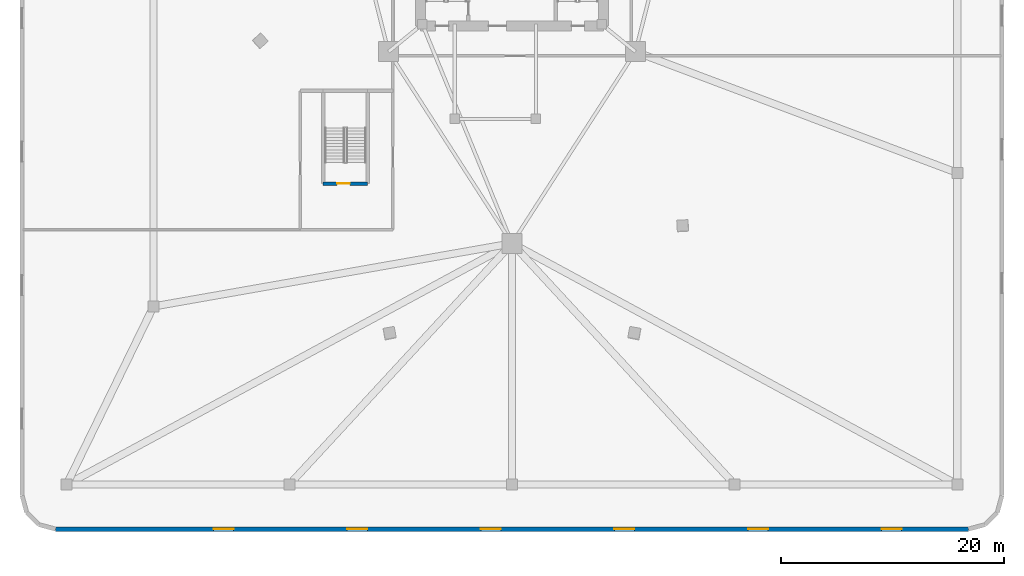
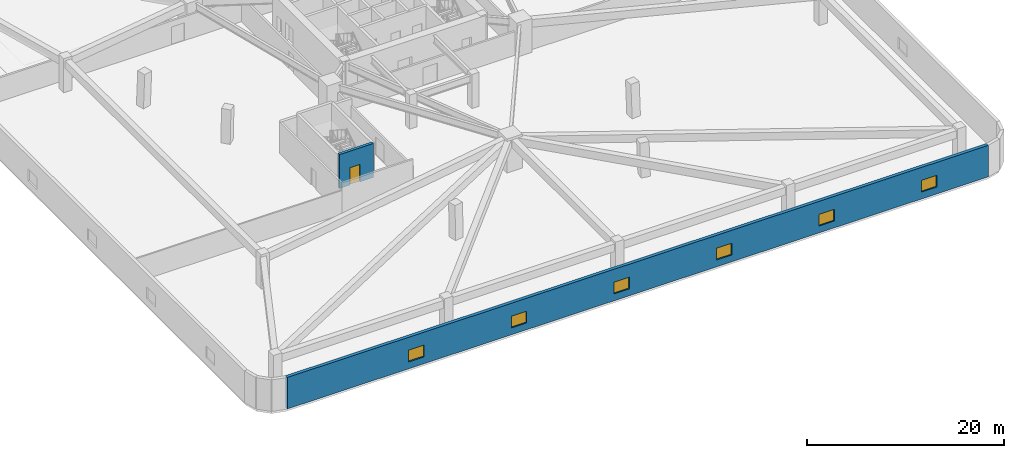
# One storey, part 3 of 10: 6 windows, 2 walls, 1 door, 7 openings.
"""IFC4 building model written with IfcOpenShell, lengths in metres."""

from ifc_helpers import new_model, si_unit, direction, frame, frame_2d, origin, place, context, subcontext, project, spatial, rectangle, extrude, material, layer, layer_set, type_object, element, fill, save


model = new_model("IFC4")

# Units and contexts
model_context = context("Model", 3, precision=1e-05, world=origin(), true_north=direction((0.0, 1.0)))
body_context = subcontext(model_context, "Body", "Model", "MODEL_VIEW")
ifc_project = project(units=[si_unit("LENGTHUNIT", "METRE"), si_unit("AREAUNIT", "SQUARE_METRE"), si_unit("VOLUMEUNIT", "CUBIC_METRE"), si_unit("PLANEANGLEUNIT", "RADIAN"), si_unit("MASSUNIT", "GRAM", prefix="KILO")], contexts=[model_context])

# Site, building, storey
site_placement = place(None, origin())
site = spatial("IfcSite", under=ifc_project, at=site_placement, CompositionType="ELEMENT")
building_placement = place(site_placement, origin())
building = spatial("IfcBuilding", under=site, at=building_placement, Name="Talyreon Biosciences Tower", CompositionType="ELEMENT")
storey_placement = place(building_placement, frame((0.0, 0.0, 10.199951171875)))
storey = spatial("IfcBuildingStorey", under=building, at=storey_placement, Name="L02", CompositionType="ELEMENT", Elevation=10.199951171875)

# Wall, opening, door
ifc_material_1 = material(Name="Concrete C50/60", Category="concrete")
ifc_layer_1 = layer(ifc_material_1, 0.320068359375)
ifc_layer_set_1 = layer_set([ifc_layer_1], Name="Concrete C50/60")
wall_type_1 = type_object("IfcWallType", Name="CoreShearWall_320", PredefinedType="SHEAR", material=ifc_layer_set_1)
wall_1_placement = place(storey_placement, frame((49.0400390625, 47.0400390625, 0.0), z_axis=(0.0, 0.0, 1.0), x_axis=(1.0, 0.0, 0.0)))
wall_1 = element("IfcWall", 1, at=wall_1_placement, inside=storey, type_object=wall_type_1, Name="L02 Stair ST-3 Structural Wall S", PredefinedType="SHEAR", context=body_context, shape_type="SweptSolid", body=[
    extrude(rectangle(XDim=4.0, YDim=0.320068359375, at=frame_2d((2.0, 0.0))), origin(), (0.0, 0.0, 1.0), 4.199951171875),
])
opening_1_placement = place(wall_1_placement, frame((1.25, 0.0, 0.0)))
opening_1 = element("IfcOpeningElement", 2, at=opening_1_placement, cuts=wall_1, Name="Opening DR-L02-ST3", PredefinedType="OPENING", context=body_context, shape_type="SweptSolid", body=[
    extrude(rectangle(XDim=1.14990234375, YDim=2.14990234375, at=frame_2d((0.574951171875, 1.074951171875))), frame((0.0, 0.169921875, 0.0), z_axis=(0.0, -1.0, 0.0), x_axis=(1.0, 0.0, 0.0)), (0.0, 0.0, 1.0), 0.340087890625),
])
ifc_material_2 = material(Name="Painted steel fire door", Category="steel")
door_type = type_object("IfcDoorType", Name="StairShaftFireDoor_1150x2150", OperationType="NOTDEFINED", PredefinedType="DOOR", material=ifc_material_2)
door_placement = place(opening_1_placement, origin())
door = element("IfcDoor", 3, at=door_placement, inside=storey, type_object=door_type, Name="L02 Core Door DR-L02-ST3", OperationType="SINGLE_SWING_LEFT", OverallHeight=2.14990234375, OverallWidth=1.14990234375, PredefinedType="DOOR", context=body_context, shape_type="SweptSolid", body=[
    extrude(rectangle(XDim=1.14990234375, YDim=2.14990234375, at=frame_2d((0.574951171875, 1.074951171875))), frame((0.0, 0.02490234375, 0.0), z_axis=(0.0, -1.0, 0.0), x_axis=(1.0, 0.0, 0.0)), (0.0, 0.0, 1.0), 0.050048828125),
])
fill(opening_1, door)

# Wall, openings, windows
ifc_material_3 = material(Name="Precast concrete C45/55", Category="concrete")
ifc_layer_2 = layer(ifc_material_3, 0.3798828125)
ifc_layer_set_2 = layer_set([ifc_layer_2], Name="Precast concrete C45/55")
wall_type_2 = type_object("IfcWallType", Name="PrecastConcretePodiumWall_380", PredefinedType="STANDARD", material=ifc_layer_set_2)
wall_2_placement = place(storey_placement, frame((107.0, 16.0, 0.0), z_axis=(0.0, 0.0, 1.0), x_axis=(-1.0, 0.0, 0.0)))
wall_2 = element("IfcWall", 4, at=wall_2_placement, inside=storey, type_object=wall_type_2, Name="L02 Podium Concrete Frame Wall 01", PredefinedType="STANDARD", context=body_context, shape_type="SweptSolid", body=[
    extrude(rectangle(XDim=82.0, YDim=0.3798828125, at=frame_2d((41.0, 0.0))), origin(), (0.0, 0.0, 1.0), 3.900146484375),
])
opening_2_placement = place(wall_2_placement, frame((6.0, 0.0, 0.85009765625)))
opening_2 = element("IfcOpeningElement", 5, at=opening_2_placement, cuts=wall_2, Name="Opening W02", PredefinedType="OPENING", context=body_context, shape_type="SweptSolid", body=[
    extrude(rectangle(XDim=1.800048828125, YDim=1.449951171875, at=frame_2d((0.89990234375, 0.72509765625))), frame((0.0, 0.199951171875, 0.0), z_axis=(0.0, -1.0, 0.0), x_axis=(1.0, 0.0, 0.0)), (0.0, 0.0, 1.0), 0.39990234375),
])
opening_3_placement = place(wall_2_placement, frame((18.0, 0.0, 0.85009765625)))
opening_3 = element("IfcOpeningElement", 6, at=opening_3_placement, cuts=wall_2, Name="Opening W02", PredefinedType="OPENING", context=body_context, shape_type="SweptSolid", body=[
    extrude(rectangle(XDim=1.800048828125, YDim=1.449951171875, at=frame_2d((0.89990234375, 0.72509765625))), frame((0.0, 0.199951171875, 0.0), z_axis=(0.0, -1.0, 0.0), x_axis=(1.0, 0.0, 0.0)), (0.0, 0.0, 1.0), 0.39990234375),
])
opening_4_placement = place(wall_2_placement, frame((30.0, 0.0, 0.85009765625)))
opening_4 = element("IfcOpeningElement", 7, at=opening_4_placement, cuts=wall_2, Name="Opening W02", PredefinedType="OPENING", context=body_context, shape_type="SweptSolid", body=[
    extrude(rectangle(XDim=1.800048828125, YDim=1.449951171875, at=frame_2d((0.89990234375, 0.72509765625))), frame((0.0, 0.199951171875, 0.0), z_axis=(0.0, -1.0, 0.0), x_axis=(1.0, 0.0, 0.0)), (0.0, 0.0, 1.0), 0.39990234375),
])
opening_5_placement = place(wall_2_placement, frame((42.0, 0.0, 0.85009765625)))
opening_5 = element("IfcOpeningElement", 8, at=opening_5_placement, cuts=wall_2, Name="Opening W02", PredefinedType="OPENING", context=body_context, shape_type="SweptSolid", body=[
    extrude(rectangle(XDim=1.800048828125, YDim=1.449951171875, at=frame_2d((0.89990234375, 0.72509765625))), frame((0.0, 0.199951171875, 0.0), z_axis=(0.0, -1.0, 0.0), x_axis=(1.0, 0.0, 0.0)), (0.0, 0.0, 1.0), 0.39990234375),
])
opening_6_placement = place(wall_2_placement, frame((54.0, 0.0, 0.85009765625)))
opening_6 = element("IfcOpeningElement", 9, at=opening_6_placement, cuts=wall_2, Name="Opening W02", PredefinedType="OPENING", context=body_context, shape_type="SweptSolid", body=[
    extrude(rectangle(XDim=1.800048828125, YDim=1.449951171875, at=frame_2d((0.89990234375, 0.72509765625))), frame((0.0, 0.199951171875, 0.0), z_axis=(0.0, -1.0, 0.0), x_axis=(1.0, 0.0, 0.0)), (0.0, 0.0, 1.0), 0.39990234375),
])
opening_7_placement = place(wall_2_placement, frame((66.0, 0.0, 0.85009765625)))
opening_7 = element("IfcOpeningElement", 10, at=opening_7_placement, cuts=wall_2, Name="Opening W02", PredefinedType="OPENING", context=body_context, shape_type="SweptSolid", body=[
    extrude(rectangle(XDim=1.800048828125, YDim=1.449951171875, at=frame_2d((0.89990234375, 0.72509765625))), frame((0.0, 0.199951171875, 0.0), z_axis=(0.0, -1.0, 0.0), x_axis=(1.0, 0.0, 0.0)), (0.0, 0.0, 1.0), 0.39990234375),
])
ifc_material_4 = material(Name="Thermally broken triple low-E aluminium window", Category="aluminium")
window_type = type_object("IfcWindowType", Name="PodiumPunchedWindow_1800x1450", PartitioningType="DOUBLE_PANEL_VERTICAL", PredefinedType="WINDOW", material=ifc_material_4)
window_1_placement = place(opening_2_placement, origin())
window_1 = element("IfcWindow", 11, at=window_1_placement, inside=storey, type_object=window_type, Name="L02 Podium Facade Window 01.01", OverallHeight=1.449951171875, OverallWidth=1.800048828125, PartitioningType="SINGLE_PANEL", PredefinedType="WINDOW", context=body_context, shape_type="SweptSolid", body=[
    extrude(rectangle(XDim=1.800048828125, YDim=1.449951171875, at=frame_2d((0.89990234375, 0.72509765625))), frame((0.0, 0.030029296875, 0.0), z_axis=(0.0, -1.0, 0.0), x_axis=(1.0, 0.0, 0.0)), (0.0, 0.0, 1.0), 0.06005859375),
])
fill(opening_2, window_1)
window_2_placement = place(opening_3_placement, origin())
window_2 = element("IfcWindow", 12, at=window_2_placement, inside=storey, type_object=window_type, Name="L02 Podium Facade Window 01.02", OverallHeight=1.449951171875, OverallWidth=1.800048828125, PartitioningType="SINGLE_PANEL", PredefinedType="WINDOW", context=body_context, shape_type="SweptSolid", body=[
    extrude(rectangle(XDim=1.800048828125, YDim=1.449951171875, at=frame_2d((0.89990234375, 0.72509765625))), frame((0.0, 0.030029296875, 0.0), z_axis=(0.0, -1.0, 0.0), x_axis=(1.0, 0.0, 0.0)), (0.0, 0.0, 1.0), 0.06005859375),
])
fill(opening_3, window_2)
window_3_placement = place(opening_4_placement, origin())
window_3 = element("IfcWindow", 13, at=window_3_placement, inside=storey, type_object=window_type, Name="L02 Podium Facade Window 01.03", OverallHeight=1.449951171875, OverallWidth=1.800048828125, PartitioningType="SINGLE_PANEL", PredefinedType="WINDOW", context=body_context, shape_type="SweptSolid", body=[
    extrude(rectangle(XDim=1.800048828125, YDim=1.449951171875, at=frame_2d((0.89990234375, 0.72509765625))), frame((0.0, 0.030029296875, 0.0), z_axis=(0.0, -1.0, 0.0), x_axis=(1.0, 0.0, 0.0)), (0.0, 0.0, 1.0), 0.06005859375),
])
fill(opening_4, window_3)
window_4_placement = place(opening_5_placement, origin())
window_4 = element("IfcWindow", 14, at=window_4_placement, inside=storey, type_object=window_type, Name="L02 Podium Facade Window 01.04", OverallHeight=1.449951171875, OverallWidth=1.800048828125, PartitioningType="SINGLE_PANEL", PredefinedType="WINDOW", context=body_context, shape_type="SweptSolid", body=[
    extrude(rectangle(XDim=1.800048828125, YDim=1.449951171875, at=frame_2d((0.89990234375, 0.72509765625))), frame((0.0, 0.030029296875, 0.0), z_axis=(0.0, -1.0, 0.0), x_axis=(1.0, 0.0, 0.0)), (0.0, 0.0, 1.0), 0.06005859375),
])
fill(opening_5, window_4)
window_5_placement = place(opening_6_placement, origin())
window_5 = element("IfcWindow", 15, at=window_5_placement, inside=storey, type_object=window_type, Name="L02 Podium Facade Window 01.05", OverallHeight=1.449951171875, OverallWidth=1.800048828125, PartitioningType="SINGLE_PANEL", PredefinedType="WINDOW", context=body_context, shape_type="SweptSolid", body=[
    extrude(rectangle(XDim=1.800048828125, YDim=1.449951171875, at=frame_2d((0.89990234375, 0.72509765625))), frame((0.0, 0.030029296875, 0.0), z_axis=(0.0, -1.0, 0.0), x_axis=(1.0, 0.0, 0.0)), (0.0, 0.0, 1.0), 0.06005859375),
])
fill(opening_6, window_5)
window_6_placement = place(opening_7_placement, origin())
window_6 = element("IfcWindow", 16, at=window_6_placement, inside=storey, type_object=window_type, Name="L02 Podium Facade Window 01.06", OverallHeight=1.449951171875, OverallWidth=1.800048828125, PartitioningType="SINGLE_PANEL", PredefinedType="WINDOW", context=body_context, shape_type="SweptSolid", body=[
    extrude(rectangle(XDim=1.800048828125, YDim=1.449951171875, at=frame_2d((0.89990234375, 0.72509765625))), frame((0.0, 0.030029296875, 0.0), z_axis=(0.0, -1.0, 0.0), x_axis=(1.0, 0.0, 0.0)), (0.0, 0.0, 1.0), 0.06005859375),
])
fill(opening_7, window_6)

save(model, "model.ifc")
